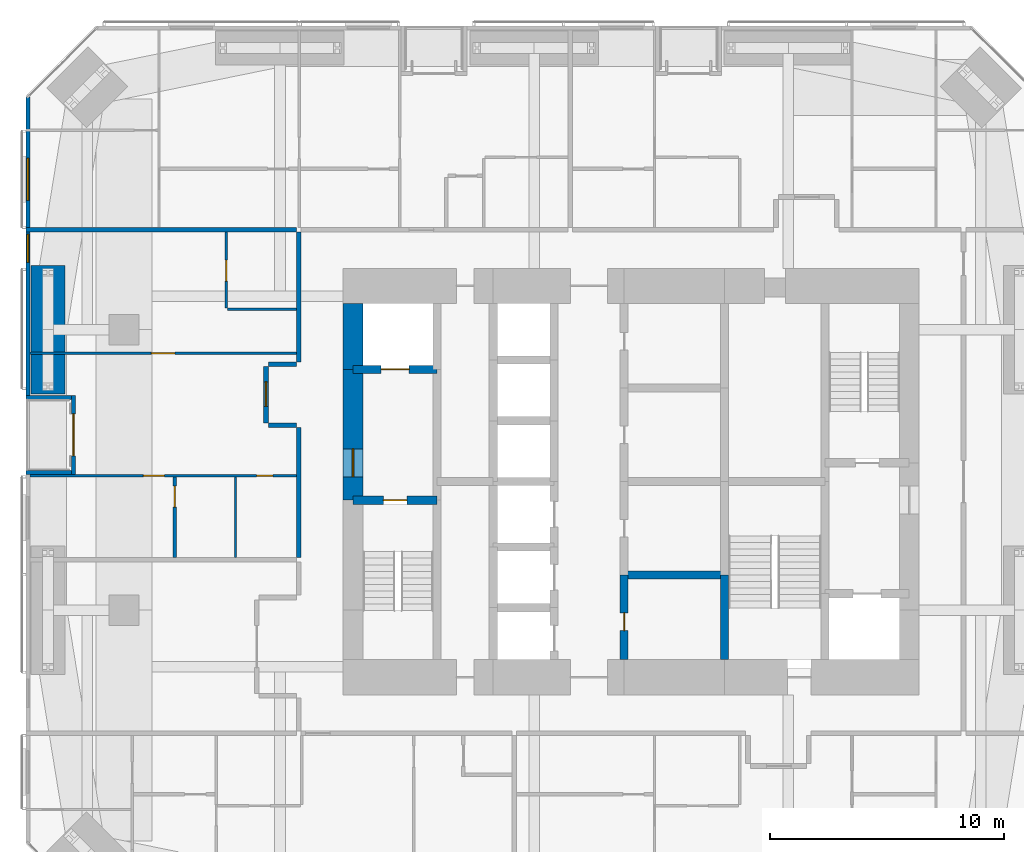
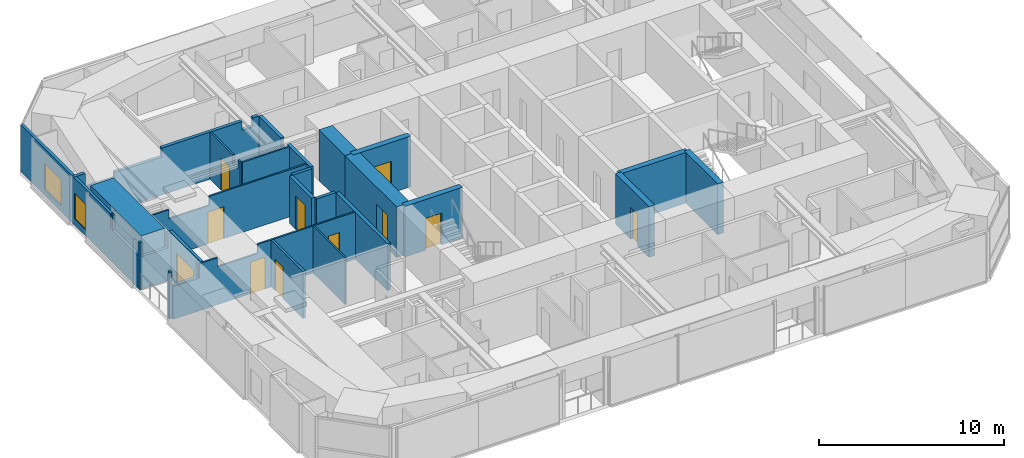
# One storey, part 19 of 24: 24 walls, 11 doors, 2 windows, 13 openings.
"""IFC4 building model written with IfcOpenShell, lengths in metres."""

from ifc_helpers import new_model, si_unit, direction, frame, frame_2d, origin, place, context, subcontext, project, spatial, polyline, rectangle, outline, extrude, material, layer, layer_set, constituent, constituent_set, type_object, element, fill, save


model = new_model("IFC4")

# Units and contexts
model_context = context("Model", 3, precision=1e-05, world=origin(), true_north=direction((0.0, 1.0)))
body_context = subcontext(model_context, "Body", "Model", "MODEL_VIEW")
ifc_project = project(units=[si_unit("LENGTHUNIT", "METRE"), si_unit("AREAUNIT", "SQUARE_METRE"), si_unit("VOLUMEUNIT", "CUBIC_METRE"), si_unit("PLANEANGLEUNIT", "RADIAN"), si_unit("MASSUNIT", "GRAM", prefix="KILO")], contexts=[model_context])

# Site, building, storey
site_placement = place(None, origin())
site = spatial("IfcSite", under=ifc_project, at=site_placement, CompositionType="ELEMENT")
building_placement = place(site_placement, origin())
building = spatial("IfcBuilding", under=site, at=building_placement, Name="Jalousie Tower", CompositionType="ELEMENT")
storey_placement = place(building_placement, frame((0.0, 0.0, 124.949951171875)))
storey = spatial("IfcBuildingStorey", under=building, at=storey_placement, Name="L34", CompositionType="ELEMENT", Elevation=124.949951171875)

# Wall, opening, door
ifc_material_1 = material(Name="Concrete block ASTM C90", Category="concrete")
ifc_constituent_1 = constituent(ifc_material_1, Name="Body")
ifc_material_2 = material(Name="Render")
ifc_constituent_2 = constituent(ifc_material_2, Name="Finish")
ifc_constituent_set_1 = constituent_set(constituents=[ifc_constituent_1, ifc_constituent_2])
wall_type_1 = type_object("IfcWallType", Name="BATHROOM WALL 150", PredefinedType="PLUMBINGWALL", material=ifc_constituent_set_1)
wall_1_placement = place(storey_placement, frame((12.375, 15.25, 0.0), z_axis=(0.0, 0.0, 1.0), x_axis=(0.0, 1.0, 0.0)))
wall_1 = element("IfcWall", 1, at=wall_1_placement, inside=storey, type_object=wall_type_1, Name="Bathroom Wall 150 L34", PredefinedType="PLUMBINGWALL", context=body_context, shape_type="SweptSolid", body=[
    extrude(rectangle(XDim=3.449951171875, YDim=0.14990234375, at=frame_2d((1.72509765625, 0.0))), origin(), (0.0, 0.0, 1.0), 3.110107421875),
])
opening_1_placement = place(wall_1_placement, frame((2.14990234375, 0.0, 0.0)))
opening_1 = element("IfcOpeningElement", 2, at=opening_1_placement, cuts=wall_1, Name="Opening D3", PredefinedType="OPENING", context=body_context, shape_type="SweptSolid", body=[
    extrude(rectangle(XDim=0.89990234375, YDim=2.10009765625, at=frame_2d((0.449951171875, 1.050048828125))), frame((0.0, 0.0849609375, 0.0), z_axis=(0.0, -1.0, 0.0), x_axis=(1.0, 0.0, 0.0)), (0.0, 0.0, 1.0), 0.169921875),
])
ifc_material_3 = material(Name="Timber door", Category="wood")
door_type_1 = type_object("IfcDoorType", Name="BATHROOM DOOR 900", OperationType="SINGLE_SWING_LEFT", PredefinedType="DOOR", material=ifc_material_3)
door_1_placement = place(opening_1_placement, frame((0.89990234375, 0.0, 0.0), z_axis=(0.0, 0.0, 1.0), x_axis=(-1.0, 0.0, 0.0)))
door_1 = element("IfcDoor", 3, at=door_1_placement, inside=storey, type_object=door_type_1, Name="Apartment 3405 bedroom 1 bathroom door", OperationType="SINGLE_SWING_LEFT", OverallHeight=2.10009765625, OverallWidth=0.89990234375, PredefinedType="DOOR", context=body_context, shape_type="SweptSolid", body=[
    extrude(rectangle(XDim=0.89990234375, YDim=2.10009765625, at=frame_2d((0.449951171875, 1.050048828125))), frame((0.0, 0.02490234375, 0.0), z_axis=(0.0, -1.0, 0.0), x_axis=(1.0, 0.0, 0.0)), (0.0, 0.0, 1.0), 0.050048828125),
])
fill(opening_1, door_1)

ifc_material_4 = material(Name="Concrete f'c 120 MPa", Category="concrete")
ifc_layer_1 = layer(ifc_material_4, 0.35009765625)
ifc_layer_set_1 = layer_set([ifc_layer_1], Name="Concrete f'c 120 MPa")
wall_type_2 = type_object("IfcWallType", Name="CORE WALL 350", PredefinedType="SHEAR", material=ifc_layer_set_1)
wall_2_placement = place(storey_placement, frame((31.60009765625, 10.875, 0.0), z_axis=(0.0, 0.0, 1.0), x_axis=(0.0, 1.0, 0.0)))
wall_2 = element("IfcWall", 4, at=wall_2_placement, inside=storey, type_object=wall_type_2, Name="Core wall X31.6A L34", PredefinedType="SHEAR", context=body_context, shape_type="SweptSolid", body=[
    extrude(rectangle(XDim=3.625, YDim=0.35009765625, at=frame_2d((1.8125, 0.0))), origin(), (0.0, 0.0, 1.0), 3.35009765625),
])
opening_2_placement = place(wall_2_placement, frame((1.25, 0.0, 0.0)))
opening_2 = element("IfcOpeningElement", 5, at=opening_2_placement, cuts=wall_2, Name="Opening D16", PredefinedType="OPENING", context=body_context, shape_type="SweptSolid", body=[
    extrude(rectangle(XDim=0.75, YDim=2.10009765625, at=frame_2d((0.375, 1.050048828125))), frame((0.0, 0.18505859375, 0.0), z_axis=(0.0, -1.0, 0.0), x_axis=(1.0, 0.0, 0.0)), (0.0, 0.0, 1.0), 0.3701171875),
])
ifc_material_5 = material(Name="Steel fire door", Category="steel")
door_type_2 = type_object("IfcDoorType", Name="RISER DOOR 750", OperationType="SINGLE_SWING_LEFT", PredefinedType="DOOR", material=ifc_material_5)
door_2_placement = place(opening_2_placement, frame((0.75, 0.0, 0.0), z_axis=(0.0, 0.0, 1.0), x_axis=(-1.0, 0.0, 0.0)))
door_2 = element("IfcDoor", 6, at=door_2_placement, inside=storey, type_object=door_type_2, Name="Refuse Room door", OperationType="SINGLE_SWING_RIGHT", OverallHeight=2.10009765625, OverallWidth=0.75, PredefinedType="DOOR", context=body_context, shape_type="SweptSolid", body=[
    extrude(rectangle(XDim=0.75, YDim=2.10009765625, at=frame_2d((0.375, 1.050048828125))), frame((0.0, 0.02490234375, 0.0), z_axis=(0.0, -1.0, 0.0), x_axis=(1.0, 0.0, 0.0)), (0.0, 0.0, 1.0), 0.050048828125),
])
fill(opening_2, door_2)

# Wall
wall_3_placement = place(storey_placement, frame((35.89990234375, 10.875, 0.0), z_axis=(0.0, 0.0, 1.0), x_axis=(0.0, 1.0, 0.0)))
element("IfcWall", 7, at=wall_3_placement, inside=storey, type_object=wall_type_2, Name="Core wall X35.9A L34", PredefinedType="SHEAR", context=body_context, shape_type="SweptSolid", body=[
    extrude(rectangle(XDim=3.625, YDim=0.35009765625, at=frame_2d((1.8125, 0.0))), origin(), (0.0, 0.0, 1.0), 3.35009765625),
])

# Wall, opening, door
wall_4_placement = place(storey_placement, frame((20.0, 17.699951171875, 0.0), z_axis=(0.0, 0.0, 1.0), x_axis=(1.0, 0.0, 0.0)))
wall_4 = element("IfcWall", 8, at=wall_4_placement, inside=storey, type_object=wall_type_2, Name="Core wall Y20-17.7 L34", PredefinedType="SHEAR", context=body_context, shape_type="SweptSolid", body=[
    extrude(rectangle(XDim=3.60009765625, YDim=0.35009765625, at=frame_2d((1.800048828125, 0.0))), origin(), (0.0, 0.0, 1.0), 3.35009765625),
])
opening_3_placement = place(wall_4_placement, frame((1.300048828125, 0.0, 0.0)))
opening_3 = element("IfcOpeningElement", 9, at=opening_3_placement, cuts=wall_4, Name="Opening D10", PredefinedType="OPENING", context=body_context, shape_type="SweptSolid", body=[
    extrude(rectangle(XDim=1.0, YDim=2.10009765625, at=frame_2d((0.5, 1.050048828125))), frame((0.0, 0.18505859375, 0.0), z_axis=(0.0, -1.0, 0.0), x_axis=(1.0, 0.0, 0.0)), (0.0, 0.0, 1.0), 0.3701171875),
])
ifc_material_6 = material(Name="Steel fire door", Category="steel")
door_type_3 = type_object("IfcDoorType", Name="STAIR DOOR 1000", OperationType="SINGLE_SWING_LEFT", PredefinedType="DOOR", material=ifc_material_6)
door_3_placement = place(opening_3_placement, frame((1.0, 0.0, 0.0), z_axis=(0.0, 0.0, 1.0), x_axis=(-1.0, 0.0, 0.0)))
door_3 = element("IfcDoor", 10, at=door_3_placement, inside=storey, type_object=door_type_3, Name="Exit stair A door", OperationType="SINGLE_SWING_RIGHT", OverallHeight=2.10009765625, OverallWidth=1.0, PredefinedType="DOOR", context=body_context, shape_type="SweptSolid", body=[
    extrude(rectangle(XDim=1.0, YDim=2.10009765625, at=frame_2d((0.5, 1.050048828125))), frame((0.0, 0.02490234375, 0.0), z_axis=(0.0, -1.0, 0.0), x_axis=(1.0, 0.0, 0.0)), (0.0, 0.0, 1.0), 0.050048828125),
])
fill(opening_3, door_3)

wall_5_placement = place(storey_placement, frame((20.0, 23.300048828125, 0.0), z_axis=(0.0, 0.0, 1.0), x_axis=(1.0, 0.0, 0.0)))
wall_5 = element("IfcWall", 11, at=wall_5_placement, inside=storey, type_object=wall_type_2, Name="Core wall Y20-23.3 L34", PredefinedType="SHEAR", context=body_context, shape_type="SweptSolid", body=[
    extrude(rectangle(XDim=3.60009765625, YDim=0.35009765625, at=frame_2d((1.800048828125, 0.0))), origin(), (0.0, 0.0, 1.0), 3.35009765625),
])
opening_4_placement = place(wall_5_placement, frame((1.199951171875, 0.0, 0.0)))
opening_4 = element("IfcOpeningElement", 12, at=opening_4_placement, cuts=wall_5, Name="Opening LD2", PredefinedType="OPENING", context=body_context, shape_type="SweptSolid", body=[
    extrude(rectangle(XDim=1.199951171875, YDim=2.10009765625, at=frame_2d((0.60009765625, 1.050048828125))), frame((0.0, 0.18505859375, 0.0), z_axis=(0.0, -1.0, 0.0), x_axis=(1.0, 0.0, 0.0)), (0.0, 0.0, 1.0), 0.3701171875),
])
ifc_material_7 = material(Name="Steel lift landing door", Category="steel")
door_type_4 = type_object("IfcDoorType", Name="LIFT LANDING DOOR 1200", OperationType="SLIDING_TO_LEFT", PredefinedType="DOOR", material=ifc_material_7)
door_4_placement = place(opening_4_placement, origin())
door_4 = element("IfcDoor", 13, at=door_4_placement, inside=storey, type_object=door_type_4, Name="Lift F1 landing door", OperationType="SLIDING_TO_LEFT", OverallHeight=2.10009765625, OverallWidth=1.199951171875, PredefinedType="DOOR", context=body_context, shape_type="SweptSolid", body=[
    extrude(rectangle(XDim=1.199951171875, YDim=2.10009765625, at=frame_2d((0.60009765625, 1.050048828125))), frame((0.0, 0.02490234375, 0.0), z_axis=(0.0, -1.0, 0.0), x_axis=(1.0, 0.0, 0.0)), (0.0, 0.0, 1.0), 0.050048828125),
])
fill(opening_4, door_4)

# Walls
wall_6_placement = place(storey_placement, frame((31.60009765625, 14.5, 0.0), z_axis=(0.0, 0.0, 1.0), x_axis=(1.0, 0.0, 0.0)))
element("IfcWall", 14, at=wall_6_placement, inside=storey, type_object=wall_type_2, Name="Core wall Y31.6-14.5 L34", PredefinedType="SHEAR", context=body_context, shape_type="SweptSolid", body=[
    extrude(rectangle(XDim=4.2998046875, YDim=0.35009765625, at=frame_2d((2.14990234375, 0.0))), origin(), (0.0, 0.0, 1.0), 3.35009765625),
])
ifc_material_8 = material(Name="Concrete f'c 120 MPa", Category="concrete")
ifc_layer_2 = layer(ifc_material_8, 0.85009765625)
ifc_layer_set_2 = layer_set([ifc_layer_2], Name="Concrete f'c 120 MPa")
wall_type_3 = type_object("IfcWallType", Name="CORE WALL 850", PredefinedType="SHEAR", material=ifc_layer_set_2)
wall_7_placement = place(storey_placement, frame((20.0, 26.125, 0.0), z_axis=(0.0, 0.0, 1.0), x_axis=(0.0, -1.0, 0.0)))
element("IfcWall", 15, at=wall_7_placement, inside=storey, type_object=wall_type_3, Name="Core wall WA L34", PredefinedType="SHEAR", context=body_context, shape_type="SweptSolid", body=[
    extrude(rectangle(XDim=2.824951171875, YDim=0.85009765625, at=frame_2d((1.41259765625, 0.0))), origin(), (0.0, 0.0, 1.0), 3.35009765625),
])

# Wall, opening, door
wall_8_placement = place(storey_placement, frame((20.0, 23.300048828125, 0.0), z_axis=(0.0, 0.0, 1.0), x_axis=(0.0, -1.0, 0.0)))
wall_8 = element("IfcWall", 16, at=wall_8_placement, inside=storey, type_object=wall_type_3, Name="Core wall WB L34", PredefinedType="SHEAR", context=body_context, shape_type="SweptSolid", body=[
    extrude(rectangle(XDim=5.60009765625, YDim=0.85009765625, at=frame_2d((2.800048828125, 0.0))), origin(), (0.0, 0.0, 1.0), 3.35009765625),
])
opening_5_placement = place(wall_8_placement, frame((3.39990234375, 0.0, 0.0)))
opening_5 = element("IfcOpeningElement", 17, at=opening_5_placement, cuts=wall_8, Name="Opening D11", PredefinedType="OPENING", context=body_context, shape_type="SweptSolid", body=[
    extrude(rectangle(XDim=1.199951171875, YDim=2.199951171875, at=frame_2d((0.60009765625, 1.10009765625))), frame((0.0, 0.43505859375, 0.0), z_axis=(0.0, -1.0, 0.0), x_axis=(1.0, 0.0, 0.0)), (0.0, 0.0, 1.0), 0.8701171875),
])
ifc_material_9 = material(Name="Steel fire door", Category="steel")
door_type_5 = type_object("IfcDoorType", Name="FIRE DOOR 1200", OperationType="SINGLE_SWING_LEFT", PredefinedType="DOOR", material=ifc_material_9)
door_5_placement = place(opening_5_placement, origin())
door_5 = element("IfcDoor", 18, at=door_5_placement, inside=storey, type_object=door_type_5, Name="Fire-fighting lobby A door", OperationType="SINGLE_SWING_RIGHT", OverallHeight=2.199951171875, OverallWidth=1.199951171875, PredefinedType="DOOR", context=body_context, shape_type="SweptSolid", body=[
    extrude(rectangle(XDim=1.199951171875, YDim=2.199951171875, at=frame_2d((0.60009765625, 1.10009765625))), frame((0.0, 0.02490234375, 0.0), z_axis=(0.0, -1.0, 0.0), x_axis=(1.0, 0.0, 0.0)), (0.0, 0.0, 1.0), 0.050048828125),
])
fill(opening_5, door_5)

# Walls
ifc_material_10 = material(Name="Concrete block ASTM C90", Category="concrete")
ifc_constituent_3 = constituent(ifc_material_10, Name="Body")
ifc_material_11 = material(Name="Render")
ifc_constituent_4 = constituent(ifc_material_11, Name="Finish")
ifc_constituent_set_2 = constituent_set(constituents=[ifc_constituent_3, ifc_constituent_4])
wall_type_4 = type_object("IfcWallType", Name="CORRIDOR WALL 200", PredefinedType="PARTITIONING", material=ifc_constituent_set_2)
wall_9_placement = place(storey_placement, frame((17.675048828125, 15.25, 0.0), z_axis=(0.0, 0.0, 1.0), x_axis=(0.0, 1.0, 0.0)))
element("IfcWall", 19, at=wall_9_placement, inside=storey, type_object=wall_type_4, Name="Corridor Wall 200 L34", PredefinedType="PARTITIONING", context=body_context, shape_type="SweptSolid", body=[
    extrude(rectangle(XDim=5.5625, YDim=0.199951171875, at=frame_2d((2.78125, 0.0))), origin(), (0.0, 0.0, 1.0), 3.110107421875),
])
wall_10_placement = place(storey_placement, frame((17.675048828125, 23.612548828125, 0.0), z_axis=(0.0, 0.0, 1.0), x_axis=(0.0, 1.0, 0.0)))
element("IfcWall", 20, at=wall_10_placement, inside=storey, type_object=wall_type_4, Name="Corridor Wall 200 L34", PredefinedType="PARTITIONING", context=body_context, shape_type="SweptSolid", body=[
    extrude(outline(polyline([(0.0, 0.0), (5.5625, 0.0), (5.5625, 3.110107421875), (3.14990234375, 3.110107421875), (3.14990234375, 2.541015625), (2.47509765625, 2.541015625), (2.47509765625, 3.110107421875), (0.0, 3.110107421875), (0.0, 0.0)])), frame((0.0, 0.10009765625, 0.0), z_axis=(0.0, -1.0, 0.0), x_axis=(1.0, 0.0, 0.0)), (0.0, 0.0, 1.0), 0.199951171875),
])

# Wall, opening, door
wall_11_placement = place(storey_placement, frame((16.27490234375, 21.012451171875, 0.0), z_axis=(0.0, 0.0, 1.0), x_axis=(0.0, 1.0, 0.0)))
wall_11 = element("IfcWall", 21, at=wall_11_placement, inside=storey, type_object=wall_type_4, Name="Corridor Wall 200 L34", PredefinedType="PARTITIONING", context=body_context, shape_type="SweptSolid", body=[
    extrude(rectangle(XDim=2.400146484375, YDim=0.199951171875, at=frame_2d((1.2001953125, 0.0))), origin(), (0.0, 0.0, 1.0), 3.110107421875),
])
opening_6_placement = place(wall_11_placement, frame((0.699951171875, 0.0, 0.0)))
opening_6 = element("IfcOpeningElement", 22, at=opening_6_placement, cuts=wall_11, Name="Opening D1", PredefinedType="OPENING", context=body_context, shape_type="SweptSolid", body=[
    extrude(rectangle(XDim=1.050048828125, YDim=2.199951171875, at=frame_2d((0.52490234375, 1.10009765625))), frame((0.0, 0.10986328125, 0.0), z_axis=(0.0, -1.0, 0.0), x_axis=(1.0, 0.0, 0.0)), (0.0, 0.0, 1.0), 0.219970703125),
])
ifc_material_12 = material(Name="Timber fire door", Category="wood")
door_type_6 = type_object("IfcDoorType", Name="APARTMENT ENTRANCE DOOR 1050", OperationType="SINGLE_SWING_LEFT", PredefinedType="DOOR", material=ifc_material_12)
door_6_placement = place(opening_6_placement, origin())
door_6 = element("IfcDoor", 23, at=door_6_placement, inside=storey, type_object=door_type_6, Name="Apartment 3405 entrance", OperationType="SINGLE_SWING_RIGHT", OverallHeight=2.199951171875, OverallWidth=1.050048828125, PredefinedType="DOOR", context=body_context, shape_type="SweptSolid", body=[
    extrude(rectangle(XDim=1.050048828125, YDim=2.199951171875, at=frame_2d((0.52490234375, 1.10009765625))), frame((0.0, 0.02490234375, 0.0), z_axis=(0.0, -1.0, 0.0), x_axis=(1.0, 0.0, 0.0)), (0.0, 0.0, 1.0), 0.050048828125),
])
fill(opening_6, door_6)

# Walls
for number, where, z_axis, x_axis, name in (
    (24, (17.574951171875, 20.91259765625, 0.0), (0.0, 0.0, 1.0), (-1.0, 0.0, 0.0), "Corridor Wall 200 L34"),
    (25, (17.574951171875, 23.512451171875, 0.0), (0.0, 0.0, 1.0), (-1.0, 0.0, 0.0), "Corridor Wall 200 L34"),
):
    element("IfcWall", number, at=place(storey_placement, frame(where, z_axis=z_axis, x_axis=x_axis)), inside=storey, type_object=wall_type_4, Name=name, PredefinedType="PARTITIONING", context=body_context, shape_type="SweptSolid", body=[
        extrude(rectangle(XDim=1.199951171875, YDim=0.199951171875, at=frame_2d((0.60009765625, 0.0))), origin(), (0.0, 0.0, 1.0), 3.110107421875),
    ])

# Wall, openings, windows
ifc_material_13 = material(Name="Concrete f'c 40 MPa", Category="concrete")
ifc_constituent_5 = constituent(ifc_material_13, Name="Body")
ifc_material_14 = material(Name="Render, pastel sea green")
ifc_constituent_6 = constituent(ifc_material_14, Name="Finish")
ifc_constituent_set_3 = constituent_set(constituents=[ifc_constituent_5, ifc_constituent_6])
wall_type_5 = type_object("IfcWallType", Name="EXTERNAL WALL 175 SEA GREEN RENDER", PredefinedType="SOLIDWALL", material=ifc_constituent_set_3)
wall_12_placement = place(storey_placement, frame((6.08740234375, 34.94873046875, 0.0), z_axis=(0.0, 0.0, 1.0), x_axis=(0.0, -1.0, 0.0)))
wall_12 = element("IfcWall", 26, at=wall_12_placement, inside=storey, type_object=wall_type_5, Name="External Wall 175 Sea Green Render L34", PredefinedType="SOLIDWALL", context=body_context, shape_type="SweptSolid", body=[
    extrude(outline(polyline([(0.0, 0.0), (12.76123046875, 0.0), (12.76123046875, 2.150146484375), (9.94873046875, 2.150146484375), (9.94873046875, 3.110107421875), (9.822998046875, 3.110107421875), (9.822998046875, 2.150146484375), (9.72998046875, 2.150146484375), (9.72998046875, 3.110107421875), (0.0, 3.110107421875), (0.0, 0.0)])), frame((0.0, 0.08740234375, 0.0), z_axis=(0.0, -1.0, 0.0), x_axis=(1.0, 0.0, 0.0)), (0.0, 0.0, 1.0), 0.175048828125),
])
opening_7_placement = place(wall_12_placement, frame((2.6181640625, 0.0, 0.39990234375)))
opening_7 = element("IfcOpeningElement", 27, at=opening_7_placement, cuts=wall_12, Name="Opening W-BED170", PredefinedType="OPENING", context=body_context, shape_type="SweptSolid", body=[
    extrude(rectangle(XDim=1.800048828125, YDim=1.699951171875, at=frame_2d((0.89990234375, 0.85009765625))), frame((0.0, 0.097412109375, 0.0), z_axis=(0.0, -1.0, 0.0), x_axis=(1.0, 0.0, 0.0)), (0.0, 0.0, 1.0), 0.195068359375),
])
opening_8_placement = place(wall_12_placement, frame((5.873779296875, 0.0, 0.39990234375)))
opening_8 = element("IfcOpeningElement", 28, at=opening_8_placement, cuts=wall_12, Name="Opening W-COR170", PredefinedType="OPENING", context=body_context, shape_type="SweptSolid", body=[
    extrude(rectangle(XDim=1.199951171875, YDim=1.699951171875, at=frame_2d((0.60009765625, 0.85009765625))), frame((0.0, 0.097412109375, 0.0), z_axis=(0.0, -1.0, 0.0), x_axis=(1.0, 0.0, 0.0)), (0.0, 0.0, 1.0), 0.195068359375),
])
ifc_material_15 = material(Name="Aluminium frame, impact-rated glazing", Category="aluminium")
window_type_1 = type_object("IfcWindowType", Name="WINDOW BED 1800x1700", PartitioningType="SINGLE_PANEL", PredefinedType="WINDOW", material=ifc_material_15)
window_1_placement = place(opening_7_placement, origin())
window_1 = element("IfcWindow", 29, at=window_1_placement, inside=storey, type_object=window_type_1, Name="Apartment 3403 bedroom 1 window", OverallHeight=1.699951171875, OverallWidth=1.800048828125, PartitioningType="SINGLE_PANEL", PredefinedType="WINDOW", context=body_context, shape_type="SweptSolid", body=[
    extrude(rectangle(XDim=1.800048828125, YDim=1.699951171875, at=frame_2d((0.89990234375, 0.85009765625))), frame((0.0, 0.030029296875, 0.0), z_axis=(0.0, -1.0, 0.0), x_axis=(1.0, 0.0, 0.0)), (0.0, 0.0, 1.0), 0.06005859375),
])
fill(opening_7, window_1)
ifc_material_16 = material(Name="Aluminium frame, impact-rated glazing", Category="aluminium")
window_type_2 = type_object("IfcWindowType", Name="WINDOW COR 1200x1700", PartitioningType="SINGLE_PANEL", PredefinedType="WINDOW", material=ifc_material_16)
window_2_placement = place(opening_8_placement, origin())
window_2 = element("IfcWindow", 30, at=window_2_placement, inside=storey, type_object=window_type_2, Name="Apartment 3405 dining room window", OverallHeight=1.699951171875, OverallWidth=1.199951171875, PartitioningType="SINGLE_PANEL", PredefinedType="WINDOW", context=body_context, shape_type="SweptSolid", body=[
    extrude(rectangle(XDim=1.199951171875, YDim=1.699951171875, at=frame_2d((0.60009765625, 0.85009765625))), frame((0.0, 0.030029296875, 0.0), z_axis=(0.0, -1.0, 0.0), x_axis=(1.0, 0.0, 0.0)), (0.0, 0.0, 1.0), 0.06005859375),
])
fill(opening_8, window_2)

# Wall, opening, door
wall_13_placement = place(storey_placement, frame((8.03759765625, 22.1875, 0.0), z_axis=(0.0, 0.0, 1.0), x_axis=(0.0, -1.0, 0.0)))
wall_13 = element("IfcWall", 31, at=wall_13_placement, inside=storey, type_object=wall_type_5, Name="External Wall 175 Sea Green Render L34", PredefinedType="SOLIDWALL", context=body_context, shape_type="SweptSolid", body=[
    extrude(rectangle(XDim=3.387451171875, YDim=0.175048828125, at=frame_2d((1.69384765625, 0.0))), origin(), (0.0, 0.0, 1.0), 3.110107421875),
])
opening_9_placement = place(wall_13_placement, frame((0.793701171875, 0.0, 0.0)))
opening_9 = element("IfcOpeningElement", 32, at=opening_9_placement, cuts=wall_13, Name="Opening D-BAL21", PredefinedType="OPENING", context=body_context, shape_type="SweptSolid", body=[
    extrude(rectangle(XDim=1.800048828125, YDim=2.10009765625, at=frame_2d((0.89990234375, 1.050048828125))), frame((0.0, 0.097412109375, 0.0), z_axis=(0.0, -1.0, 0.0), x_axis=(1.0, 0.0, 0.0)), (0.0, 0.0, 1.0), 0.195068359375),
])
ifc_material_17 = material(Name="Aluminium frame, impact-rated glazing", Category="aluminium")
door_type_7 = type_object("IfcDoorType", Name="BALCONY DOOR 1800x2100", OperationType="SLIDING_TO_LEFT", PredefinedType="DOOR", material=ifc_material_17)
door_7_placement = place(opening_9_placement, origin())
door_7 = element("IfcDoor", 33, at=door_7_placement, inside=storey, type_object=door_type_7, Name="Apartment 3405 living room loggia door", OperationType="SLIDING_TO_LEFT", OverallHeight=2.10009765625, OverallWidth=1.800048828125, PredefinedType="DOOR", context=body_context, shape_type="SweptSolid", body=[
    extrude(rectangle(XDim=1.800048828125, YDim=2.10009765625, at=frame_2d((0.89990234375, 1.050048828125))), frame((0.0, 0.02490234375, 0.0), z_axis=(0.0, -1.0, 0.0), x_axis=(1.0, 0.0, 0.0)), (0.0, 0.0, 1.0), 0.050048828125),
])
fill(opening_9, door_7)

# Walls
for number, where, z_axis, x_axis, name in (
    (34, (6.0, 22.10009765625, 0.0), (0.0, 0.0, 1.0), (1.0, 0.0, 0.0), "External Wall 175 Sea Green Render L34"),
    (35, (6.0, 18.887451171875, 0.0), (0.0, 0.0, 1.0), (1.0, 0.0, 0.0), "External Wall 175 Sea Green Render L34"),
):
    element("IfcWall", number, at=place(storey_placement, frame(where, z_axis=z_axis, x_axis=x_axis)), inside=storey, type_object=wall_type_5, Name=name, PredefinedType="SOLIDWALL", context=body_context, shape_type="SweptSolid", body=[
        extrude(outline(polyline([(0.0, 0.0), (1.949951171875, 0.0), (1.949951171875, 3.110107421875), (1.75, 3.110107421875), (1.75, 2.150146484375), (0.14990234375, 2.150146484375), (0.14990234375, 3.110107421875), (0.0, 3.110107421875), (0.0, 0.0)])), frame((0.0, 0.08740234375, 0.0), z_axis=(0.0, -1.0, 0.0), x_axis=(1.0, 0.0, 0.0)), (0.0, 0.0, 1.0), 0.175048828125),
    ])

# Wall, openings, doors
ifc_material_18 = material(Name="Gypsum board", Category="gypsum")
ifc_constituent_7 = constituent(ifc_material_18, Name="Body")
ifc_material_19 = material(Name="Light-gauge steel studs ASTM A653 SS Grade 33", Category="steel")
ifc_constituent_8 = constituent(ifc_material_19, Name="Framing")
ifc_constituent_set_4 = constituent_set(constituents=[ifc_constituent_7, ifc_constituent_8])
wall_type_6 = type_object("IfcWallType", Name="PARTITION 100", PredefinedType="PARTITIONING", material=ifc_constituent_set_4)
wall_14_placement = place(storey_placement, frame((6.175048828125, 18.75, 0.0), z_axis=(0.0, 0.0, 1.0), x_axis=(1.0, 0.0, 0.0)))
wall_14 = element("IfcWall", 36, at=wall_14_placement, inside=storey, type_object=wall_type_6, Name="Partition 100 L34", PredefinedType="PARTITIONING", context=body_context, shape_type="SweptSolid", body=[
    extrude(outline(polyline([(0.0, 0.0), (11.39990234375, 0.0), (11.39990234375, 3.110107421875), (5.284912109375, 3.110107421875), (5.284912109375, 2.510009765625), (2.764892578125, 2.510009765625), (2.764892578125, 3.110107421875), (1.635009765625, 3.110107421875), (1.635009765625, 2.150146484375), (0.0, 2.150146484375), (0.0, 3.110107421875), (0.0, 0.0)])), frame((0.0, 0.050048828125, 0.0), z_axis=(0.0, -1.0, 0.0), x_axis=(1.0, 0.0, 0.0)), (0.0, 0.0, 1.0), 0.10009765625),
])
opening_10_placement = place(wall_14_placement, frame((4.85009765625, 0.0, 0.0)))
opening_10 = element("IfcOpeningElement", 37, at=opening_10_placement, cuts=wall_14, Name="Opening D2", PredefinedType="OPENING", context=body_context, shape_type="SweptSolid", body=[
    extrude(rectangle(XDim=0.89990234375, YDim=2.10009765625, at=frame_2d((0.449951171875, 1.050048828125))), frame((0.0, 0.06005859375, 0.0), z_axis=(0.0, -1.0, 0.0), x_axis=(1.0, 0.0, 0.0)), (0.0, 0.0, 1.0), 0.1201171875),
])
opening_11_placement = place(wall_14_placement, frame((9.699951171875, 0.0, 0.0)))
opening_11 = element("IfcOpeningElement", 38, at=opening_11_placement, cuts=wall_14, Name="Opening D4", PredefinedType="OPENING", context=body_context, shape_type="SweptSolid", body=[
    extrude(rectangle(XDim=0.699951171875, YDim=2.10009765625, at=frame_2d((0.35009765625, 1.050048828125))), frame((0.0, 0.06005859375, 0.0), z_axis=(0.0, -1.0, 0.0), x_axis=(1.0, 0.0, 0.0)), (0.0, 0.0, 1.0), 0.1201171875),
])
ifc_material_20 = material(Name="Timber door", Category="wood")
door_type_8 = type_object("IfcDoorType", Name="BEDROOM DOOR 900", OperationType="SINGLE_SWING_LEFT", PredefinedType="DOOR", material=ifc_material_20)
door_8_placement = place(opening_10_placement, frame((0.89990234375, 0.0, 0.0), z_axis=(0.0, 0.0, 1.0), x_axis=(-1.0, 0.0, 0.0)))
door_8 = element("IfcDoor", 39, at=door_8_placement, inside=storey, type_object=door_type_8, Name="Apartment 3405 bedroom 1 door", OperationType="SINGLE_SWING_LEFT", OverallHeight=2.10009765625, OverallWidth=0.89990234375, PredefinedType="DOOR", context=body_context, shape_type="SweptSolid", body=[
    extrude(rectangle(XDim=0.89990234375, YDim=2.10009765625, at=frame_2d((0.449951171875, 1.050048828125))), frame((0.0, 0.02490234375, 0.0), z_axis=(0.0, -1.0, 0.0), x_axis=(1.0, 0.0, 0.0)), (0.0, 0.0, 1.0), 0.050048828125),
])
fill(opening_10, door_8)
ifc_material_21 = material(Name="Timber door", Category="wood")
door_type_9 = type_object("IfcDoorType", Name="STORE DOOR 700", OperationType="SINGLE_SWING_LEFT", PredefinedType="DOOR", material=ifc_material_21)
door_9_placement = place(opening_11_placement, frame((0.699951171875, 0.0, 0.0), z_axis=(0.0, 0.0, 1.0), x_axis=(-1.0, 0.0, 0.0)))
door_9 = element("IfcDoor", 40, at=door_9_placement, inside=storey, type_object=door_type_9, Name="Apartment 3405 store door", OperationType="SINGLE_SWING_RIGHT", OverallHeight=2.10009765625, OverallWidth=0.699951171875, PredefinedType="DOOR", context=body_context, shape_type="SweptSolid", body=[
    extrude(rectangle(XDim=0.699951171875, YDim=2.10009765625, at=frame_2d((0.35009765625, 1.050048828125))), frame((0.0, 0.02490234375, 0.0), z_axis=(0.0, -1.0, 0.0), x_axis=(1.0, 0.0, 0.0)), (0.0, 0.0, 1.0), 0.050048828125),
])
fill(opening_11, door_9)

# Wall
wall_15_placement = place(storey_placement, frame((14.97509765625, 15.25, 0.0), z_axis=(0.0, 0.0, 1.0), x_axis=(0.0, 1.0, 0.0)))
element("IfcWall", 41, at=wall_15_placement, inside=storey, type_object=wall_type_6, Name="Partition 100 L34", PredefinedType="PARTITIONING", context=body_context, shape_type="SweptSolid", body=[
    extrude(rectangle(XDim=3.449951171875, YDim=0.10009765625, at=frame_2d((1.72509765625, 0.0))), origin(), (0.0, 0.0, 1.0), 3.110107421875),
])

# Wall, opening, door
wall_16_placement = place(storey_placement, frame((14.574951171875, 25.925048828125, 0.0), z_axis=(0.0, 0.0, 1.0), x_axis=(0.0, 1.0, 0.0)))
wall_16 = element("IfcWall", 42, at=wall_16_placement, inside=storey, type_object=wall_type_6, Name="Partition 100 L34", PredefinedType="PARTITIONING", context=body_context, shape_type="SweptSolid", body=[
    extrude(outline(polyline([(0.0, 0.0), (3.25, 0.0), (3.25, 3.110107421875), (0.787353515625, 3.110107421875), (0.787353515625, 2.541015625), (0.212646484375, 2.541015625), (0.212646484375, 3.110107421875), (0.0, 3.110107421875), (0.0, 0.0)])), frame((0.0, 0.050048828125, 0.0), z_axis=(0.0, -1.0, 0.0), x_axis=(1.0, 0.0, 0.0)), (0.0, 0.0, 1.0), 0.10009765625),
])
opening_12_placement = place(wall_16_placement, frame((1.14990234375, 0.0, 0.0)))
opening_12 = element("IfcOpeningElement", 43, at=opening_12_placement, cuts=wall_16, Name="Opening D7", PredefinedType="OPENING", context=body_context, shape_type="SweptSolid", body=[
    extrude(rectangle(XDim=0.89990234375, YDim=2.10009765625, at=frame_2d((0.449951171875, 1.050048828125))), frame((0.0, 0.06005859375, 0.0), z_axis=(0.0, -1.0, 0.0), x_axis=(1.0, 0.0, 0.0)), (0.0, 0.0, 1.0), 0.1201171875),
])
ifc_material_22 = material(Name="Timber door", Category="wood")
door_type_10 = type_object("IfcDoorType", Name="INTERNAL DOOR 900", OperationType="SINGLE_SWING_LEFT", PredefinedType="DOOR", material=ifc_material_22)
door_10_placement = place(opening_12_placement, origin())
door_10 = element("IfcDoor", 44, at=door_10_placement, inside=storey, type_object=door_type_10, Name="Apartment 3405 kitchen door", OperationType="SINGLE_SWING_RIGHT", OverallHeight=2.10009765625, OverallWidth=0.89990234375, PredefinedType="DOOR", context=body_context, shape_type="SweptSolid", body=[
    extrude(rectangle(XDim=0.89990234375, YDim=2.10009765625, at=frame_2d((0.449951171875, 1.050048828125))), frame((0.0, 0.02490234375, 0.0), z_axis=(0.0, -1.0, 0.0), x_axis=(1.0, 0.0, 0.0)), (0.0, 0.0, 1.0), 0.050048828125),
])
fill(opening_12, door_10)

# Wall
wall_17_placement = place(storey_placement, frame((14.625, 25.875, 0.0), z_axis=(0.0, 0.0, 1.0), x_axis=(1.0, 0.0, 0.0)))
element("IfcWall", 45, at=wall_17_placement, inside=storey, type_object=wall_type_6, Name="Partition 100 L34", PredefinedType="PARTITIONING", context=body_context, shape_type="SweptSolid", body=[
    extrude(rectangle(XDim=2.949951171875, YDim=0.10009765625, at=frame_2d((1.47509765625, 0.0))), origin(), (0.0, 0.0, 1.0), 3.110107421875),
])

# Wall, opening, door
wall_18_placement = place(storey_placement, frame((6.175048828125, 23.987548828125, 0.0), z_axis=(0.0, 0.0, 1.0), x_axis=(1.0, 0.0, 0.0)))
wall_18 = element("IfcWall", 46, at=wall_18_placement, inside=storey, type_object=wall_type_6, Name="Partition 100 L34", PredefinedType="PARTITIONING", context=body_context, shape_type="SweptSolid", body=[
    extrude(outline(polyline([(0.52880859375, 2.150146484375), (0.0, 2.150146484375), (0.0, 0.0), (0.52880859375, 0.0), (0.52880859375, 0.77783203125), (1.021240234375, 0.77783203125), (1.021240234375, 0.0), (11.39990234375, 0.0), (11.39990234375, 3.110107421875), (5.284912109375, 3.110107421875), (5.284912109375, 2.510009765625), (2.764892578125, 2.510009765625), (2.764892578125, 3.110107421875), (1.635009765625, 3.110107421875), (1.635009765625, 2.150146484375), (1.021240234375, 2.150146484375), (1.021240234375, 1.372314453125), (0.52880859375, 1.372314453125), (0.52880859375, 2.150146484375)])), frame((0.0, 0.050048828125, 0.0), z_axis=(0.0, -1.0, 0.0), x_axis=(1.0, 0.0, 0.0)), (0.0, 0.0, 1.0), 0.10009765625),
])
opening_13_placement = place(wall_18_placement, frame((5.199951171875, 0.0, 0.0)))
opening_13 = element("IfcOpeningElement", 47, at=opening_13_placement, cuts=wall_18, Name="Opening D6", PredefinedType="OPENING", context=body_context, shape_type="SweptSolid", body=[
    extrude(rectangle(XDim=1.0, YDim=2.10009765625, at=frame_2d((0.5, 1.050048828125))), frame((0.0, 0.06005859375, 0.0), z_axis=(0.0, -1.0, 0.0), x_axis=(1.0, 0.0, 0.0)), (0.0, 0.0, 1.0), 0.1201171875),
])
ifc_material_23 = material(Name="Timber door", Category="wood")
door_type_11 = type_object("IfcDoorType", Name="INTERNAL DOOR 1000", OperationType="SINGLE_SWING_LEFT", PredefinedType="DOOR", material=ifc_material_23)
door_11_placement = place(opening_13_placement, origin())
door_11 = element("IfcDoor", 48, at=door_11_placement, inside=storey, type_object=door_type_11, Name="Apartment 3405 dining room door", OperationType="SINGLE_SWING_RIGHT", OverallHeight=2.10009765625, OverallWidth=1.0, PredefinedType="DOOR", context=body_context, shape_type="SweptSolid", body=[
    extrude(rectangle(XDim=1.0, YDim=2.10009765625, at=frame_2d((0.5, 1.050048828125))), frame((0.0, 0.02490234375, 0.0), z_axis=(0.0, -1.0, 0.0), x_axis=(1.0, 0.0, 0.0)), (0.0, 0.0, 1.0), 0.050048828125),
])
fill(opening_13, door_11)

# Walls
ifc_material_24 = material(Name="Concrete block ASTM C90", Category="concrete")
ifc_constituent_9 = constituent(ifc_material_24, Name="Body")
ifc_material_25 = material(Name="Render")
ifc_constituent_10 = constituent(ifc_material_25, Name="Finish")
ifc_constituent_set_5 = constituent_set(constituents=[ifc_constituent_9, ifc_constituent_10])
wall_type_7 = type_object("IfcWallType", Name="PARTY WALL 200", PredefinedType="PARTITIONING", material=ifc_constituent_set_5)
wall_19_placement = place(storey_placement, frame((6.0, 29.27490234375, 0.0), z_axis=(0.0, 0.0, 1.0), x_axis=(1.0, 0.0, 0.0)))
element("IfcWall", 49, at=wall_19_placement, inside=storey, type_object=wall_type_7, Name="Party Wall 200 L34", PredefinedType="PARTITIONING", context=body_context, shape_type="SweptSolid", body=[
    extrude(outline(polyline([(0.0, 0.0), (11.574951171875, 0.0), (11.574951171875, 3.110107421875), (11.21240234375, 3.110107421875), (11.21240234375, 2.541015625), (10.53759765625, 2.541015625), (10.53759765625, 3.110107421875), (5.510009765625, 3.110107421875), (5.510009765625, 2.510009765625), (2.96875, 2.510009765625), (2.96875, 2.541015625), (2.565185546875, 2.541015625), (2.565185546875, 2.150146484375), (0.721435546875, 2.150146484375), (0.721435546875, 3.110107421875), (0.0, 3.110107421875), (0.0, 0.0)])), frame((0.0, 0.10009765625, 0.0), z_axis=(0.0, -1.0, 0.0), x_axis=(1.0, 0.0, 0.0)), (0.0, 0.0, 1.0), 0.199951171875),
])
ifc_material_26 = material(Name="Concrete f'c 120 MPa", Category="concrete")
ifc_layer_3 = layer(ifc_material_26, 1.449951171875)
ifc_layer_set_3 = layer_set([ifc_layer_3], Name="Concrete f'c 120 MPa")
wall_type_8 = type_object("IfcWallType", Name="RC WALL PIER 1450", PredefinedType="SHEAR", material=ifc_layer_set_3)
wall_20_placement = place(storey_placement, frame((6.949951171875, 22.25, 0.0), z_axis=(0.0, 0.0, 1.0), x_axis=(0.0, 1.0, 0.0)))
element("IfcWall", 50, at=wall_20_placement, inside=storey, type_object=wall_type_8, Name="Wall pier 13 L34", PredefinedType="SHEAR", context=body_context, shape_type="SweptSolid", body=[
    extrude(rectangle(XDim=5.5, YDim=1.449951171875, at=frame_2d((2.75, 0.0))), origin(), (0.0, 0.0, 1.0), 3.35009765625),
])

save(model, "model.ifc")
